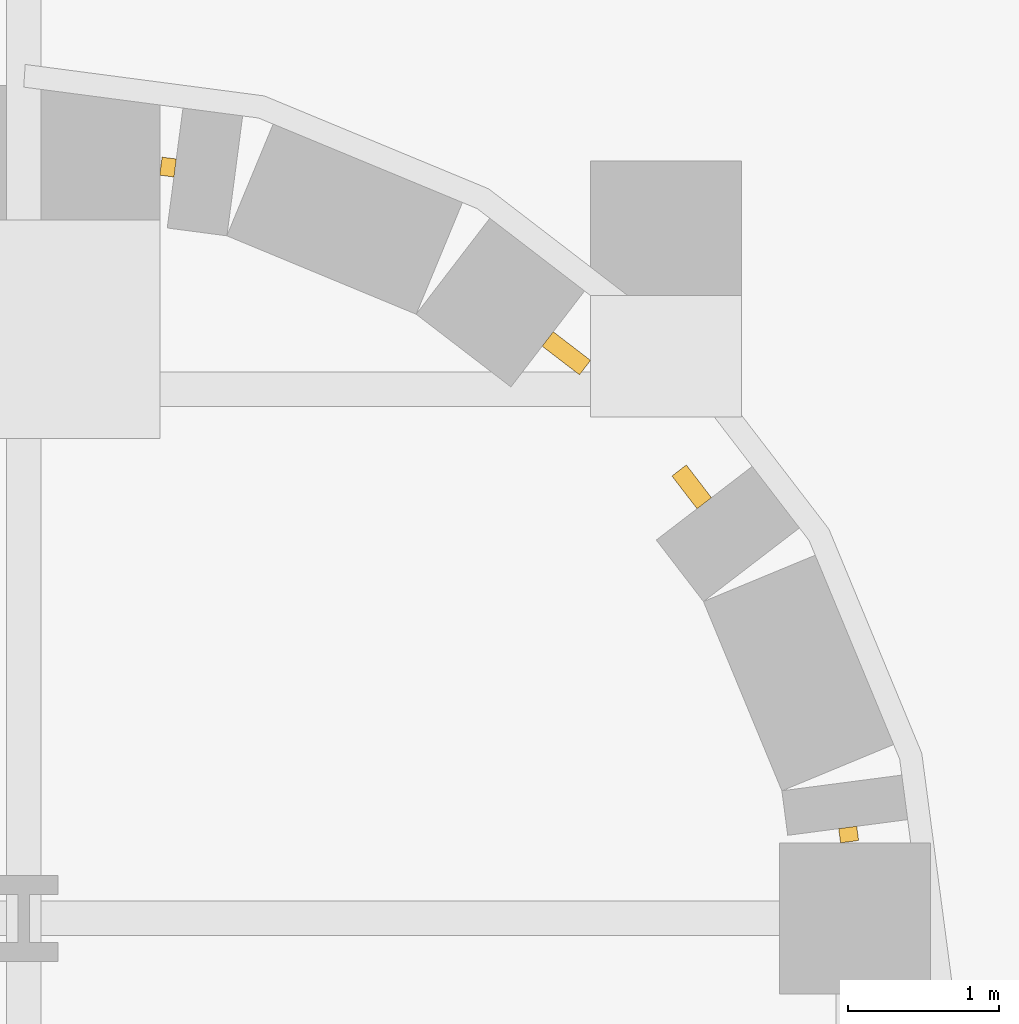
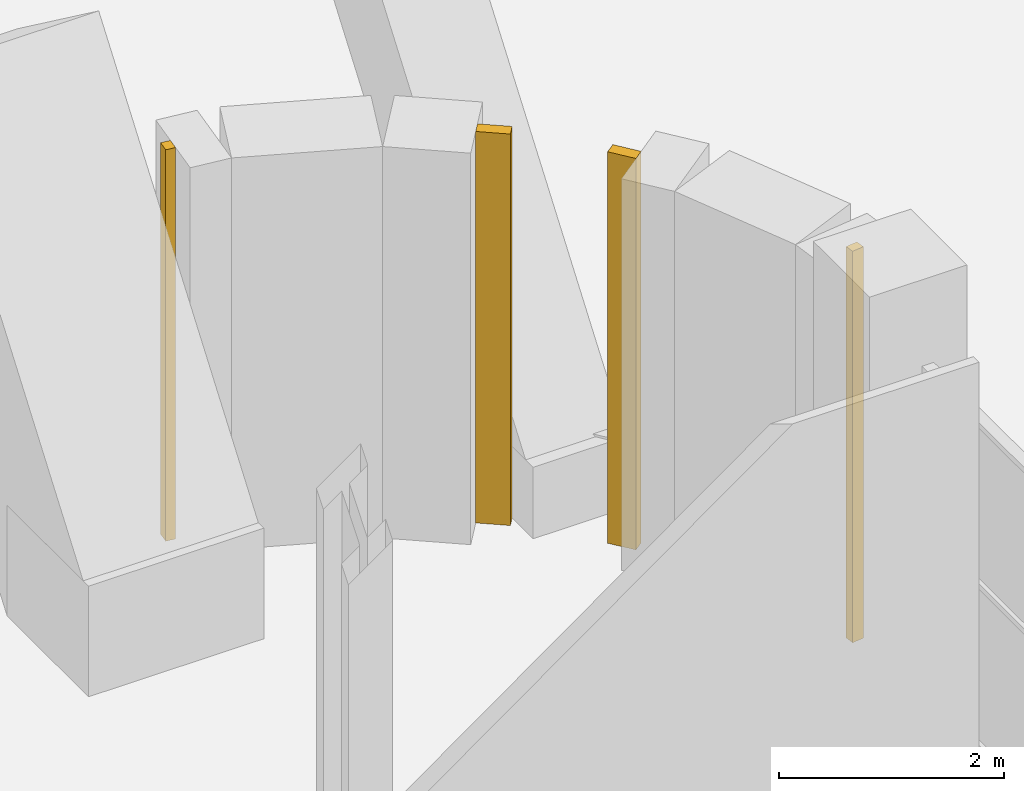
# One storey, part 25 of 26: 4 coverings.
"""IFC4 building model written with IfcOpenShell, lengths in metres."""

from ifc_helpers import new_model, si_unit, direction, frame, origin, origin_2d, place, context, subcontext, project, spatial, rectangle, extrude, material, layer, layer_set, type_object, element, save


model = new_model("IFC4")

# Units and contexts
model_context = context("Model", 3, precision=1e-05, world=origin(), true_north=direction((0.0, 1.0)))
body_context = subcontext(model_context, "Body", "Model", "MODEL_VIEW")
ifc_project = project(units=[si_unit("LENGTHUNIT", "METRE"), si_unit("AREAUNIT", "SQUARE_METRE"), si_unit("VOLUMEUNIT", "CUBIC_METRE"), si_unit("PLANEANGLEUNIT", "RADIAN"), si_unit("MASSUNIT", "GRAM", prefix="KILO")], contexts=[model_context])

# Site, building, storey
site_placement = place(None, origin())
site = spatial("IfcSite", under=ifc_project, at=site_placement, CompositionType="ELEMENT")
building_placement = place(site_placement, origin())
building = spatial("IfcBuilding", under=site, at=building_placement, Name="Zellij Exchange Tower", CompositionType="ELEMENT")
storey_placement = place(building_placement, frame((0.0, 0.0, 39.0)))
storey = spatial("IfcBuildingStorey", under=building, at=storey_placement, Name="L06", CompositionType="ELEMENT", Elevation=39.0)

# Coverings
ifc_material = material(Name="Limestone cladding", Category="masonry")
ifc_layer = layer(ifc_material, 0.1201171875)
ifc_layer_set = layer_set([ifc_layer], Name="Limestone cladding")
covering_type = type_object("IfcCoveringType", Name="ENV-CV18 Glazing closer 120", PredefinedType="CLADDING", material=ifc_layer_set)
covering_1_placement = place(storey_placement, frame((30.590087890625, 8.239013671875, 0.0), z_axis=(0.0, 0.0, 1.0), x_axis=(0.793316151692, -0.608809891071, 0.0)))
element("IfcCovering", 1, at=covering_1_placement, inside=storey, type_object=covering_type, Name="Glazing closer", PredefinedType="CLADDING", context=body_context, shape_type="SweptSolid", body=[
    extrude(rectangle(XDim=0.310791015625, YDim=0.1201171875, at=origin_2d()), origin(), (0.0, 0.0, 1.0), 4.25),
])
covering_2_placement = place(storey_placement, frame((31.41943359375, 7.355224609375, 0.0), z_axis=(0.0, 0.0, 1.0), x_axis=(-0.608809891071, 0.793316151692, 0.0)))
element("IfcCovering", 2, at=covering_2_placement, inside=storey, type_object=covering_type, Name="Glazing closer", PredefinedType="CLADDING", context=body_context, shape_type="SweptSolid", body=[
    extrude(rectangle(XDim=0.27294921875, YDim=0.1201171875, at=origin_2d()), origin(), (0.0, 0.0, 1.0), 4.25),
])
for number, where, z_axis, x_axis, name in (
    (3, (27.954833984375, 9.470947265625, 0.0), (0.0, 0.0, 1.0), (-0.991448505966, 0.130498505806, 0.0), "Glazing closer"),
    (4, (32.457763671875, 5.0546875, 0.0), (0.0, 0.0, 1.0), (0.130498505806, -0.991448505966, 0.0), "Glazing closer"),
):
    element("IfcCovering", number, at=place(storey_placement, frame(where, z_axis=z_axis, x_axis=x_axis)), inside=storey, type_object=covering_type, Name=name, PredefinedType="CLADDING", context=body_context, shape_type="SweptSolid", body=[
        extrude(rectangle(XDim=0.0947265625, YDim=0.1201171875, at=origin_2d()), origin(), (0.0, 0.0, 1.0), 4.25),
    ])

save(model, "model.ifc")
